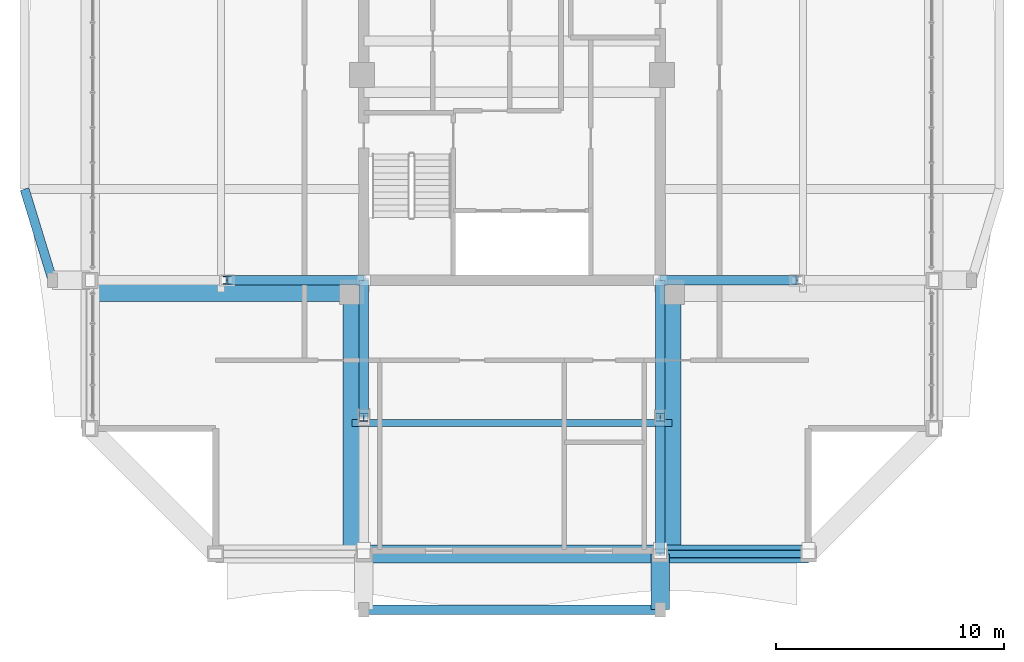
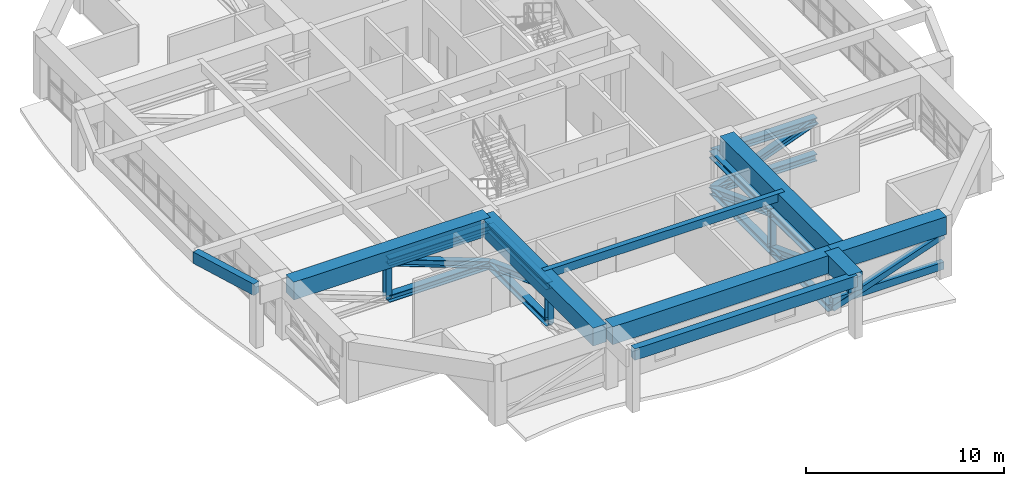
# One storey, part 3 of 25: 20 members, 9 beams.
"""IFC4 building model written with IfcOpenShell, lengths in metres."""

from ifc_helpers import new_model, si_unit, direction, frame, origin, origin_2d, place, context, subcontext, project, spatial, rectangle, hollow_rectangle, i_section, extrude, source, transform, mapped, material, material_profile, profile_set, type_object, element, save


model = new_model("IFC4")

# Units and contexts
model_context = context("Model", 3, precision=1e-05, world=origin(), true_north=direction((0.0, 1.0)))
body_context = subcontext(model_context, "Body", "Model", "MODEL_VIEW")
ifc_project = project(units=[si_unit("LENGTHUNIT", "METRE"), si_unit("AREAUNIT", "SQUARE_METRE"), si_unit("VOLUMEUNIT", "CUBIC_METRE"), si_unit("PLANEANGLEUNIT", "RADIAN"), si_unit("MASSUNIT", "GRAM", prefix="KILO")], contexts=[model_context])

# Site, building, storey
site_placement = place(None, origin())
site = spatial("IfcSite", under=ifc_project, at=site_placement, CompositionType="ELEMENT")
building_placement = place(site_placement, origin())
building = spatial("IfcBuilding", under=site, at=building_placement, Name="Saelheon Loggia Tower", CompositionType="ELEMENT")
storey_placement = place(building_placement, frame((0.0, 0.0, 206.5)))
storey = spatial("IfcBuildingStorey", under=building, at=storey_placement, Name="L64", CompositionType="ELEMENT", Elevation=206.5)

# Beams
ifc_material_1 = material(Name="Concrete C40/50", Category="concrete")
ifc_material_profile_1 = material_profile(ifc_material_1, rectangle(XDim=0.300048828125, YDim=0.5, at=origin_2d()), Name="RC-300x500")
ifc_profile_set_1 = profile_set([ifc_material_profile_1], Name="Concrete C40/50")
beam_type_1 = type_object("IfcBeamType", Name="Beam_Joist_RC300x500", PredefinedType="JOIST", material=ifc_profile_set_1)
shared_shape_1 = source(origin(), body_context, "Body", "SweptSolid", [
    extrude(rectangle(XDim=0.300048828125, YDim=0.5, at=origin_2d()), origin(), (0.0, 0.0, 1.0), 14.0400390625),
])
beam_1_placement = place(storey_placement, frame((30.97998046875, 11.739990234375, 3.550048828125), z_axis=(1.0, 0.0, 0.0), x_axis=(0.0, 1.0, 0.0)))
element("IfcBeam", 1, at=beam_1_placement, inside=storey, type_object=beam_type_1, Name="L64 South Floor Joist", PredefinedType="JOIST", context=body_context, shape_type="MappedRepresentation", body=[
    mapped(shared_shape_1, transform((0.0, 0.0, 0.0), scale=1.0)),
])
ifc_material_2 = material(Name="Concrete C50/60", Category="concrete")
ifc_material_profile_2 = material_profile(ifc_material_2, rectangle(XDim=0.800048828125, YDim=1.10009765625, at=origin_2d()), Name="RC-800x1100")
ifc_profile_set_2 = profile_set([ifc_material_profile_2], Name="Concrete C50/60")
beam_type_2 = type_object("IfcBeamType", Name="Beam_PerimSetback_RC800x1100", PredefinedType="BEAM", material=ifc_profile_set_2)
shared_shape_2 = source(origin(), body_context, "Body", "SweptSolid", [
    extrude(rectangle(XDim=0.800048828125, YDim=1.10009765625, at=origin_2d()), origin(), (0.0, 0.0, 1.0), 13.0),
])
beam_2_placement = place(storey_placement, frame((31.5, 6.0, 3.25), z_axis=(1.0, 0.0, 0.0), x_axis=(0.0, 1.0, 0.0)))
element("IfcBeam", 2, at=beam_2_placement, inside=storey, type_object=beam_type_2, Name="L64 Perimeter Frame Girder 02", PredefinedType="BEAM", context=body_context, shape_type="MappedRepresentation", body=[
    mapped(shared_shape_2, transform((0.0, 0.0, 0.0), scale=1.0)),
])
ifc_material_profile_3 = material_profile(ifc_material_2, rectangle(XDim=0.800048828125, YDim=1.10009765625, at=origin_2d()), Name="RC-800x1100")
ifc_profile_set_3 = profile_set([ifc_material_profile_3], Name="Concrete C50/60")
beam_type_3 = type_object("IfcBeamType", Name="Beam_SetbackTransfer_RC800x1100", PredefinedType="BEAM", material=ifc_profile_set_3)
shared_shape_3 = source(origin(), body_context, "Body", "SweptSolid", [
    extrude(rectangle(XDim=0.800048828125, YDim=1.10009765625, at=origin_2d()), origin(), (0.0, 0.0, 1.0), 11.47998046875),
])
for number, where, z_axis, x_axis, name in (
    (3, (30.97998046875, 17.47998046875, 3.25), (0.0, -1.0, 0.0), (1.0, 0.0, 0.0), "L64 Radial Floor Girder RAD-SW-S"),
    (4, (45.02001953125, 17.47998046875, 3.25), (0.0, -1.0, 0.0), (1.0, 0.0, 0.0), "L64 Radial Floor Girder RAD-SE-S"),
    (5, (30.97998046875, 17.47998046875, 3.25), (-1.0, 0.0, 0.0), (0.0, -1.0, 0.0), "L64 Radial Floor Girder RAD-SW-W"),
):
    element("IfcBeam", number, at=place(storey_placement, frame(where, z_axis=z_axis, x_axis=x_axis)), inside=storey, type_object=beam_type_3, Name=name, PredefinedType="BEAM", context=body_context, shape_type="MappedRepresentation", body=[
        mapped(shared_shape_3, transform((0.0, 0.0, 0.0), scale=1.0)),
    ])
shared_shape_4 = source(origin(), body_context, "Body", "SweptSolid", [
    extrude(rectangle(XDim=0.800048828125, YDim=1.10009765625, at=origin_2d()), origin(), (0.0, 0.0, 1.0), 2.449951171875),
])
beam_3_placement = place(storey_placement, frame((44.5, 6.0, 3.25), z_axis=(0.0, -1.0, 0.0), x_axis=(1.0, 0.0, 0.0)))
element("IfcBeam", 6, at=beam_3_placement, inside=storey, type_object=beam_type_2, Name="L64 Loggia Frame Tie Beam LP-S2", PredefinedType="BEAM", context=body_context, shape_type="MappedRepresentation", body=[
    mapped(shared_shape_4, transform((0.0, 0.0, 0.0), scale=1.0)),
])
ifc_material_3 = material(Name="Precast Concrete C45/55", Category="concrete")
ifc_material_profile_4 = material_profile(ifc_material_3, rectangle(XDim=0.39990234375, YDim=0.699951171875, at=origin_2d()), Name="RC-400x700")
ifc_profile_set_4 = profile_set([ifc_material_profile_4], Name="Precast Concrete C45/55")
beam_type_4 = type_object("IfcBeamType", Name="Beam_LoggiaSpandrel_RC400x700", PredefinedType="SPANDREL", material=ifc_profile_set_4)
shared_shape_5 = source(origin(), body_context, "Body", "SweptSolid", [
    extrude(rectangle(XDim=0.39990234375, YDim=0.699951171875, at=origin_2d()), origin(), (0.0, 0.0, 1.0), 13.0),
])
beam_4_placement = place(storey_placement, frame((31.5, 3.550048828125, 3.449951171875), z_axis=(1.0, 0.0, 0.0), x_axis=(0.0, 1.0, 0.0)))
element("IfcBeam", 7, at=beam_4_placement, inside=storey, type_object=beam_type_4, Name="L64 Loggia Spandrel Beam S", PredefinedType="SPANDREL", context=body_context, shape_type="MappedRepresentation", body=[
    mapped(shared_shape_5, transform((0.0, 0.0, 0.0), scale=1.0)),
])
shared_shape_6 = source(origin(), body_context, "Body", "SweptSolid", [
    extrude(rectangle(XDim=0.39990234375, YDim=0.699951171875, at=origin_2d()), origin(), (0.0, 0.0, 1.0), 4.184814453125),
])
beam_5_placement = place(storey_placement, frame((17.85009765625, 18.0, 3.449951171875), z_axis=(-0.293913664135, 0.955831971653, 0.0), x_axis=(-0.955831971653, -0.293913664135, 0.0)))
element("IfcBeam", 8, at=beam_5_placement, inside=storey, type_object=beam_type_4, Name="L64 Curved Loggia Spandrel W 1", PredefinedType="SPANDREL", context=body_context, shape_type="MappedRepresentation", body=[
    mapped(shared_shape_6, transform((0.0, 0.0, 0.0), scale=1.0)),
])
shared_shape_7 = source(origin(), body_context, "Body", "SweptSolid", [
    extrude(rectangle(XDim=0.800048828125, YDim=1.10009765625, at=origin_2d()), origin(), (0.0, 0.0, 1.0), 6.5),
])
beam_6_placement = place(storey_placement, frame((44.5, 6.0, 3.25), z_axis=(1.0, 0.0, 0.0), x_axis=(0.0, 1.0, 0.0)))
element("IfcBeam", 9, at=beam_6_placement, inside=storey, type_object=beam_type_2, Name="L64 Perimeter Frame Girder 03", PredefinedType="BEAM", context=body_context, shape_type="MappedRepresentation", body=[
    mapped(shared_shape_7, transform((0.0, 0.0, 0.0), scale=1.0)),
])

# Members
ifc_material_4 = material(Name="Steel SM355", Category="steel")
ifc_material_profile_5 = material_profile(ifc_material_4, i_section(OverallWidth=0.406982421875, OverallDepth=0.427978515625, WebThickness=0.02001953125, FlangeThickness=0.034912109375, at=origin_2d()), Name="H-428x407x20x35")
ifc_profile_set_5 = profile_set([ifc_material_profile_5], Name="Steel SM355")
member_type_1 = type_object("IfcMemberType", Name="Outrigger_Chord_H428", PredefinedType="CHORD", material=ifc_profile_set_5)
shared_shape_8 = source(origin(), body_context, "Body", "SweptSolid", [
    extrude(i_section(OverallWidth=0.406982421875, OverallDepth=0.427978515625, WebThickness=0.02001953125, FlangeThickness=0.034912109375, at=origin_2d()), origin(), (0.0, 0.0, 1.0), 6.0),
])
for number, where, z_axis, x_axis, name in (
    (10, (31.5, 18.0, 0.219970703125), (0.0, -1.0, 0.0), (1.0, 0.0, 0.0), "L64 Outrigger Bottom Chord SW-S 1"),
    (11, (31.5, 18.0, 2.469970703125), (0.0, -1.0, 0.0), (1.0, 0.0, 0.0), "L64 Outrigger Top Chord SW-S 1"),
    (12, (44.5, 18.0, 0.219970703125), (0.0, -1.0, 0.0), (1.0, 0.0, 0.0), "L64 Outrigger Bottom Chord SE-S 1"),
    (13, (44.5, 12.0, 0.219970703125), (0.0, -1.0, 0.0), (1.0, 0.0, 0.0), "L64 Outrigger Bottom Chord SE-S 2"),
    (14, (44.5, 18.0, 2.469970703125), (0.0, -1.0, 0.0), (1.0, 0.0, 0.0), "L64 Outrigger Top Chord SE-S 1"),
    (15, (44.5, 12.0, 2.469970703125), (0.0, -1.0, 0.0), (1.0, 0.0, 0.0), "L64 Outrigger Top Chord SE-S 2"),
    (16, (31.5, 18.0, 0.219970703125), (-1.0, 0.0, 0.0), (0.0, -1.0, 0.0), "L64 Outrigger Bottom Chord SW-W 1"),
    (17, (31.5, 18.0, 2.469970703125), (-1.0, 0.0, 0.0), (0.0, -1.0, 0.0), "L64 Outrigger Top Chord SW-W 1"),
    (18, (44.5, 18.0, 0.219970703125), (1.0, 0.0, 0.0), (0.0, 1.0, 0.0), "L64 Outrigger Bottom Chord SE-E 1"),
    (19, (44.5, 18.0, 2.469970703125), (1.0, 0.0, 0.0), (0.0, 1.0, 0.0), "L64 Outrigger Top Chord SE-E 1"),
):
    element("IfcMember", number, at=place(storey_placement, frame(where, z_axis=z_axis, x_axis=x_axis)), inside=storey, type_object=member_type_1, Name=name, PredefinedType="CHORD", context=body_context, shape_type="MappedRepresentation", body=[
        mapped(shared_shape_8, transform((0.0, 0.0, 0.0), scale=1.0)),
    ])
ifc_material_profile_6 = material_profile(ifc_material_4, i_section(OverallWidth=0.35009765625, OverallDepth=0.35009765625, WebThickness=0.011962890625, FlangeThickness=0.01904296875, at=origin_2d()), Name="H-350x350x12x19")
ifc_profile_set_6 = profile_set([ifc_material_profile_6], Name="Steel SM355")
member_type_2 = type_object("IfcMemberType", Name="Outrigger_Post_H350", PredefinedType="POST", material=ifc_profile_set_6)
shared_shape_9 = source(origin(), body_context, "Body", "SweptSolid", [
    extrude(i_section(OverallWidth=0.35009765625, OverallDepth=0.35009765625, WebThickness=0.011962890625, FlangeThickness=0.01904296875, at=origin_2d()), origin(), (0.0, 0.0, 1.0), 2.25),
])
for number, where, z_axis, x_axis, name in (
    (20, (31.5, 12.0, 0.219970703125), (0.0, 0.0, 1.0), (1.0, 0.0, 0.0), "L64 Outrigger Web Post SW-S"),
    (21, (44.5, 12.0, 0.219970703125), (0.0, 0.0, 1.0), (1.0, 0.0, 0.0), "L64 Outrigger Web Post SE-S"),
    (22, (25.5, 18.0, 0.219970703125), (0.0, 0.0, 1.0), (1.0, 0.0, 0.0), "L64 Outrigger Web Post SW-W"),
):
    element("IfcMember", number, at=place(storey_placement, frame(where, z_axis=z_axis, x_axis=x_axis)), inside=storey, type_object=member_type_2, Name=name, PredefinedType="POST", context=body_context, shape_type="MappedRepresentation", body=[
        mapped(shared_shape_9, transform((0.0, 0.0, 0.0), scale=1.0)),
    ])
ifc_material_profile_7 = material_profile(ifc_material_4, i_section(OverallWidth=0.39990234375, OverallDepth=0.39990234375, WebThickness=0.012939453125, FlangeThickness=0.02099609375, at=origin_2d()), Name="H-400x400x13x21")
ifc_profile_set_7 = profile_set([ifc_material_profile_7], Name="Steel SM355")
member_type_3 = type_object("IfcMemberType", Name="Outrigger_Brace_H400", PredefinedType="BRACE", material=ifc_profile_set_7)
shared_shape_10 = source(origin(), body_context, "Body", "SweptSolid", [
    extrude(i_section(OverallWidth=0.39990234375, OverallDepth=0.39990234375, WebThickness=0.012939453125, FlangeThickness=0.02099609375, at=origin_2d()), origin(), (0.0, 0.0, 1.0), 6.407958984375),
])
for number, where, z_axis, x_axis, name in (
    (23, (31.5, 18.0, 0.219970703125), (0.0, -0.936329177569, 0.351123441588), (1.0, 0.0, 0.0), "L64 Outrigger Diagonal SW-S 1"),
    (24, (44.5, 18.0, 0.219970703125), (0.0, -0.936329177569, 0.351123441588), (1.0, 0.0, 0.0), "L64 Outrigger Diagonal SE-S 1"),
    (25, (44.5, 12.0, 0.219970703125), (0.0, -0.936329177569, 0.351123441588), (1.0, 0.0, 0.0), "L64 Outrigger Diagonal SE-S 2"),
    (26, (31.5, 18.0, 0.219970703125), (-0.936329177569, 0.0, 0.351123441588), (0.0, -1.0, 0.0), "L64 Outrigger Diagonal SW-W 1"),
    (27, (44.5, 18.0, 0.219970703125), (0.936329177569, 0.0, 0.351123441588), (0.0, 1.0, 0.0), "L64 Outrigger Diagonal SE-E 1"),
):
    element("IfcMember", number, at=place(storey_placement, frame(where, z_axis=z_axis, x_axis=x_axis)), inside=storey, type_object=member_type_3, Name=name, PredefinedType="BRACE", context=body_context, shape_type="MappedRepresentation", body=[
        mapped(shared_shape_10, transform((0.0, 0.0, 0.0), scale=1.0)),
    ])
ifc_material_profile_8 = material_profile(ifc_material_4, hollow_rectangle(XDim=0.300048828125, YDim=0.449951171875, WallThickness=0.02001953125, at=origin_2d()), Name="RHS-450x300x20")
ifc_profile_set_8 = profile_set([ifc_material_profile_8], Name="Steel SM355")
member_type_4 = type_object("IfcMemberType", Name="Belt_Chord_RHS450", PredefinedType="CHORD", material=ifc_profile_set_8)
shared_shape_11 = source(origin(), body_context, "Body", "SweptSolid", [
    extrude(hollow_rectangle(XDim=0.300048828125, YDim=0.449951171875, WallThickness=0.02001953125, at=origin_2d()), origin(), (0.0, 0.0, 1.0), 6.5),
])
member_1_placement = place(storey_placement, frame((44.5, 6.0, 0.6201171875), z_axis=(1.0, 0.0, 0.0), x_axis=(0.0, 1.0, 0.0)))
element("IfcMember", 28, at=member_1_placement, inside=storey, type_object=member_type_4, Name="L64 Belt Truss Chord BS2", PredefinedType="CHORD", context=body_context, shape_type="MappedRepresentation", body=[
    mapped(shared_shape_11, transform((0.0, 0.0, 0.0), scale=1.0)),
])
ifc_material_profile_9 = material_profile(ifc_material_4, hollow_rectangle(XDim=0.35009765625, YDim=0.35009765625, WallThickness=0.01611328125, at=origin_2d()), Name="RHS-350x350x16")
ifc_profile_set_9 = profile_set([ifc_material_profile_9], Name="Steel SM355")
member_type_5 = type_object("IfcMemberType", Name="Belt_Brace_RHS350", PredefinedType="BRACE", material=ifc_profile_set_9)
shared_shape_12 = source(origin(), body_context, "Body", "SweptSolid", [
    extrude(hollow_rectangle(XDim=0.35009765625, YDim=0.35009765625, WallThickness=0.01611328125, at=origin_2d()), origin(), (0.0, 0.0, 1.0), 6.87841796875),
])
member_2_placement = place(storey_placement, frame((44.5, 6.0, 0.219970703125), z_axis=(0.94498607344, 0.0, 0.327110563883), x_axis=(0.0, 1.0, 0.0)))
element("IfcMember", 29, at=member_2_placement, inside=storey, type_object=member_type_5, Name="L64 Belt Truss Brace BS2", PredefinedType="BRACE", context=body_context, shape_type="MappedRepresentation", body=[
    mapped(shared_shape_12, transform((0.0, 0.0, 0.0), scale=1.0)),
])

save(model, "model.ifc")
